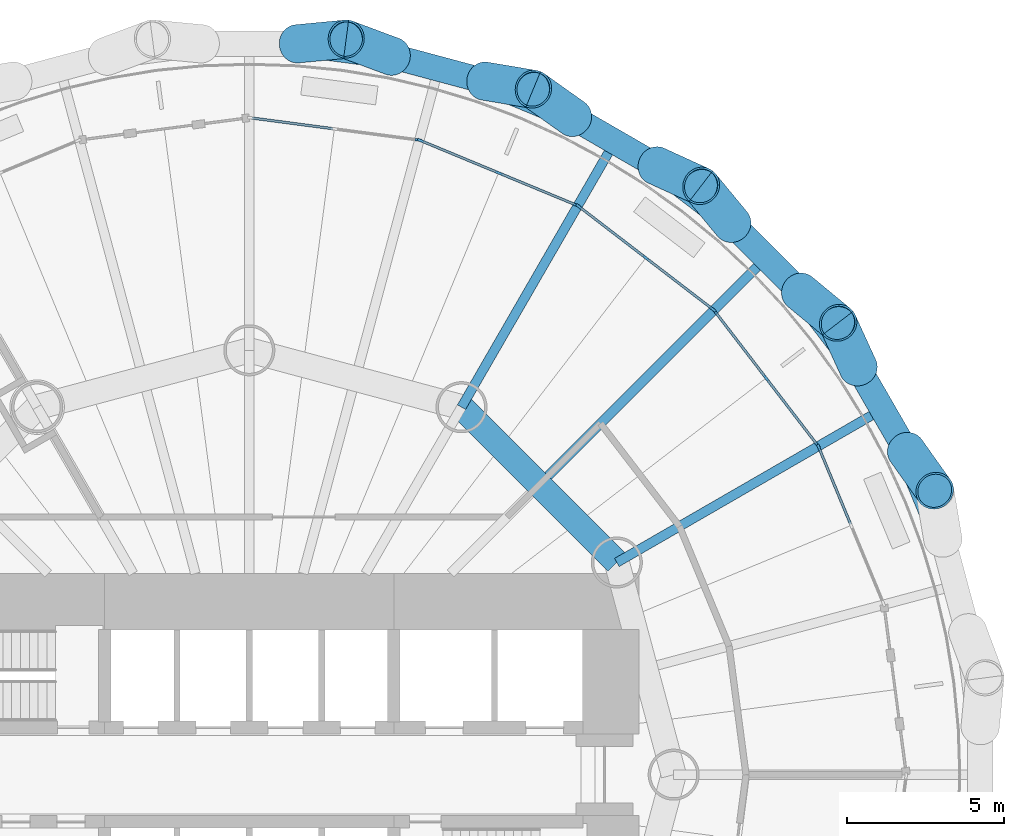
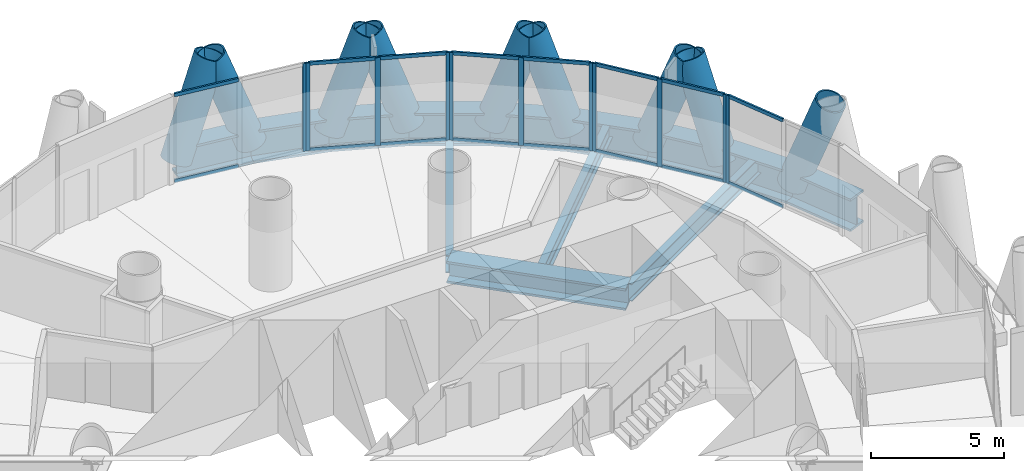
# One storey, part 7 of 15: 36 members, 13 beams, 5 elements without a shape of their own.
"""IFC4 building model written with IfcOpenShell, lengths in metres."""

from ifc_helpers import new_model, si_unit, direction, frame, origin, origin_2d, place, context, subcontext, project, spatial, rectangle, hollow_circle, i_section, extrude, material, material_profile, profile_set, type_object, element, aggregate, save


model = new_model("IFC4")

# Units and contexts
model_context = context("Model", 3, precision=1e-05, world=origin(), true_north=direction((0.0, 1.0)))
body_context = subcontext(model_context, "Body", "Model", "MODEL_VIEW")
ifc_project = project(units=[si_unit("LENGTHUNIT", "METRE"), si_unit("AREAUNIT", "SQUARE_METRE"), si_unit("VOLUMEUNIT", "CUBIC_METRE"), si_unit("PLANEANGLEUNIT", "RADIAN"), si_unit("MASSUNIT", "GRAM", prefix="KILO")], contexts=[model_context])

# Site, building, storey
site_placement = place(None, origin())
site = spatial("IfcSite", under=ifc_project, at=site_placement, CompositionType="ELEMENT")
building_placement = place(site_placement, origin())
building = spatial("IfcBuilding", under=site, at=building_placement, Name="Qaws Media Tower", CompositionType="ELEMENT")
storey_placement = place(building_placement, frame((0.0, 0.0, 30.199951171875)))
storey = spatial("IfcBuildingStorey", under=building, at=storey_placement, Name="L05", CompositionType="ELEMENT", Elevation=30.199951171875)

# Curtain wall, member
ifc_material_1 = material(Name="Aluminium and clear glass", Category="aluminium")
curtain_wall_type = type_object("IfcCurtainWallType", Name="Unitised curtain wall CW-A", PredefinedType="NOTDEFINED", material=ifc_material_1)
curtain_wall_1_placement = place(storey_placement, origin())
curtain_wall_1 = element("IfcCurtainWall", 1, at=curtain_wall_1_placement, inside=storey, type_object=curtain_wall_type, Name="CWA curtain wall L05-02", PredefinedType="NOTDEFINED")
ifc_material_2 = material(Name="Aluminium mullion", Category="aluminium")
ifc_material_profile_1 = material_profile(ifc_material_2, rectangle(XDim=0.080078125, YDim=0.199951171875, at=origin_2d()), Name="80x200")
ifc_profile_set_1 = profile_set([ifc_material_profile_1], Name="Aluminium mullion")
member_type_1 = type_object("IfcMemberType", Name="Curtain wall mullion 80x200", PredefinedType="MULLION", material=ifc_profile_set_1)
member_1_placement = place(storey_placement, frame((78.115234375, 60.4130859375, 0.0), z_axis=(0.0, 0.0, 1.0), x_axis=(-0.92387952266, -0.382683456149, 0.0)))
member_1 = element("IfcMember", 2, at=member_1_placement, type_object=member_type_1, Name="CWA mullion 3", PredefinedType="MULLION", context=body_context, shape_type="SweptSolid", body=[
    extrude(rectangle(XDim=0.080078125, YDim=0.199951171875, at=origin_2d()), origin(), (0.0, 0.0, 1.0), 4.0400390625),
])

# Curtain wall, members
curtain_wall_2_placement = place(storey_placement, origin())
curtain_wall_2 = element("IfcCurtainWall", 3, at=curtain_wall_2_placement, inside=storey, type_object=curtain_wall_type, Name="CWA curtain wall L05-03", PredefinedType="NOTDEFINED")
member_2_placement = place(storey_placement, frame((78.07568359375, 60.481689453125, 0.0), z_axis=(0.0, 0.0, 1.0), x_axis=(-0.793353377638, -0.608761380338, 0.0)))
member_2 = element("IfcMember", 4, at=member_2_placement, type_object=member_type_1, Name="CWA mullion 1", PredefinedType="MULLION", context=body_context, shape_type="SweptSolid", body=[
    extrude(rectangle(XDim=0.080078125, YDim=0.199951171875, at=origin_2d()), origin(), (0.0, 0.0, 1.0), 4.0400390625),
])
member_3_placement = place(storey_placement, frame((76.439208984375, 62.6142578125, 0.0), z_axis=(0.0, 0.0, 1.0), x_axis=(-0.793353377638, -0.608761380338, 0.0)))
member_3 = element("IfcMember", 5, at=member_3_placement, type_object=member_type_1, Name="CWA mullion 2", PredefinedType="MULLION", context=body_context, shape_type="SweptSolid", body=[
    extrude(rectangle(XDim=0.080078125, YDim=0.199951171875, at=origin_2d()), origin(), (0.0, 0.0, 1.0), 4.0400390625),
])
member_4_placement = place(storey_placement, frame((74.802978515625, 64.746826171875, 0.0), z_axis=(0.0, 0.0, 1.0), x_axis=(-0.793353377638, -0.608761380338, 0.0)))
member_4 = element("IfcMember", 6, at=member_4_placement, type_object=member_type_1, Name="CWA mullion 3", PredefinedType="MULLION", context=body_context, shape_type="SweptSolid", body=[
    extrude(rectangle(XDim=0.080078125, YDim=0.199951171875, at=origin_2d()), origin(), (0.0, 0.0, 1.0), 4.0400390625),
])

curtain_wall_3_placement = place(storey_placement, origin())
curtain_wall_3 = element("IfcCurtainWall", 7, at=curtain_wall_3_placement, inside=storey, type_object=curtain_wall_type, Name="CWA curtain wall L05-04", PredefinedType="NOTDEFINED")
member_5_placement = place(storey_placement, frame((74.746826171875, 64.802978515625, 0.0), z_axis=(0.0, 0.0, 1.0), x_axis=(-0.608761380338, -0.793353377638, 0.0)))
member_5 = element("IfcMember", 8, at=member_5_placement, type_object=member_type_1, Name="CWA mullion 1", PredefinedType="MULLION", context=body_context, shape_type="SweptSolid", body=[
    extrude(rectangle(XDim=0.080078125, YDim=0.199951171875, at=origin_2d()), origin(), (0.0, 0.0, 1.0), 4.0400390625),
])
member_6_placement = place(storey_placement, frame((72.6142578125, 66.439208984375, 0.0), z_axis=(0.0, 0.0, 1.0), x_axis=(-0.608761380338, -0.793353377638, 0.0)))
member_6 = element("IfcMember", 9, at=member_6_placement, type_object=member_type_1, Name="CWA mullion 2", PredefinedType="MULLION", context=body_context, shape_type="SweptSolid", body=[
    extrude(rectangle(XDim=0.080078125, YDim=0.199951171875, at=origin_2d()), origin(), (0.0, 0.0, 1.0), 4.0400390625),
])
member_7_placement = place(storey_placement, frame((70.481689453125, 68.07568359375, 0.0), z_axis=(0.0, 0.0, 1.0), x_axis=(-0.608761380338, -0.793353377638, 0.0)))
member_7 = element("IfcMember", 10, at=member_7_placement, type_object=member_type_1, Name="CWA mullion 3", PredefinedType="MULLION", context=body_context, shape_type="SweptSolid", body=[
    extrude(rectangle(XDim=0.080078125, YDim=0.199951171875, at=origin_2d()), origin(), (0.0, 0.0, 1.0), 4.0400390625),
])

curtain_wall_4_placement = place(storey_placement, origin())
curtain_wall_4 = element("IfcCurtainWall", 11, at=curtain_wall_4_placement, inside=storey, type_object=curtain_wall_type, Name="CWA curtain wall L05-05", PredefinedType="NOTDEFINED")
member_8_placement = place(storey_placement, frame((70.4130859375, 68.115234375, 0.0), z_axis=(0.0, 0.0, 1.0), x_axis=(-0.382683456149, -0.92387952266, 0.0)))
member_8 = element("IfcMember", 12, at=member_8_placement, type_object=member_type_1, Name="CWA mullion 1", PredefinedType="MULLION", context=body_context, shape_type="SweptSolid", body=[
    extrude(rectangle(XDim=0.080078125, YDim=0.199951171875, at=origin_2d()), origin(), (0.0, 0.0, 1.0), 4.0400390625),
])
member_9_placement = place(storey_placement, frame((67.9296875, 69.143798828125, 0.0), z_axis=(0.0, 0.0, 1.0), x_axis=(-0.382683456149, -0.92387952266, 0.0)))
member_9 = element("IfcMember", 13, at=member_9_placement, type_object=member_type_1, Name="CWA mullion 2", PredefinedType="MULLION", context=body_context, shape_type="SweptSolid", body=[
    extrude(rectangle(XDim=0.080078125, YDim=0.199951171875, at=origin_2d()), origin(), (0.0, 0.0, 1.0), 4.0400390625),
])
member_10_placement = place(storey_placement, frame((65.4462890625, 70.172607421875, 0.0), z_axis=(0.0, 0.0, 1.0), x_axis=(-0.382683456149, -0.92387952266, 0.0)))
member_10 = element("IfcMember", 14, at=member_10_placement, type_object=member_type_1, Name="CWA mullion 3", PredefinedType="MULLION", context=body_context, shape_type="SweptSolid", body=[
    extrude(rectangle(XDim=0.080078125, YDim=0.199951171875, at=origin_2d()), origin(), (0.0, 0.0, 1.0), 4.0400390625),
])

# Curtain wall, member
curtain_wall_5_placement = place(storey_placement, origin())
curtain_wall_5 = element("IfcCurtainWall", 15, at=curtain_wall_5_placement, inside=storey, type_object=curtain_wall_type, Name="CWA curtain wall L05-06", PredefinedType="NOTDEFINED")
member_11_placement = place(storey_placement, frame((65.36962890625, 70.193115234375, 0.0), z_axis=(0.0, 0.0, 1.0), x_axis=(-0.130526151694, -0.991444866709, 0.0)))
member_11 = element("IfcMember", 16, at=member_11_placement, type_object=member_type_1, Name="CWA mullion 1", PredefinedType="MULLION", context=body_context, shape_type="SweptSolid", body=[
    extrude(rectangle(XDim=0.080078125, YDim=0.199951171875, at=origin_2d()), origin(), (0.0, 0.0, 1.0), 4.0400390625),
])

# Member
ifc_material_3 = material(Name="Aluminium transom", Category="aluminium")
ifc_material_profile_2 = material_profile(ifc_material_3, rectangle(XDim=0.080078125, YDim=0.159912109375, at=origin_2d()), Name="80x160")
ifc_profile_set_2 = profile_set([ifc_material_profile_2], Name="Aluminium transom")
member_type_2 = type_object("IfcMemberType", Name="Curtain wall transom 80x160", PredefinedType="USERDEFINED", material=ifc_profile_set_2)
member_12_placement = place(storey_placement, frame((79.128662109375, 57.966552734375, 0.0400390625), z_axis=(-0.382693528503, 0.923875350489, 0.0), x_axis=(-0.923875350489, -0.382693528503, 0.0)))
member_12 = element("IfcMember", 17, at=member_12_placement, type_object=member_type_2, Name="CWA transom 2.1", ObjectType="TRANSOM", PredefinedType="USERDEFINED", context=body_context, shape_type="SweptSolid", body=[
    extrude(rectangle(XDim=0.080078125, YDim=0.159912109375, at=origin_2d()), origin(), (0.0, 0.0, 1.0), 2.60791015625),
])

member_13_placement = place(storey_placement, frame((79.128662109375, 57.966552734375, 4.0), z_axis=(-0.382693528503, 0.923875350489, 0.0), x_axis=(-0.923875350489, -0.382693528503, 0.0)))
member_13 = element("IfcMember", 18, at=member_13_placement, type_object=member_type_2, Name="CWA transom 2.2", ObjectType="TRANSOM", PredefinedType="USERDEFINED", context=body_context, shape_type="SweptSolid", body=[
    extrude(rectangle(XDim=0.080078125, YDim=0.159912109375, at=origin_2d()), origin(), (0.0, 0.0, 1.0), 2.60791015625),
])

aggregate(curtain_wall_1, [member_1, member_12, member_13])

member_14_placement = place(storey_placement, frame((78.05126953125, 60.513427734375, 0.0400390625), z_axis=(-0.608755759528, 0.793357690605, 0.0), x_axis=(-0.793357690605, -0.608755759528, 0.0)))
member_14 = element("IfcMember", 19, at=member_14_placement, type_object=member_type_2, Name="CWA transom 1.1", ObjectType="TRANSOM", PredefinedType="USERDEFINED", context=body_context, shape_type="SweptSolid", body=[
    extrude(rectangle(XDim=0.080078125, YDim=0.159912109375, at=origin_2d()), origin(), (0.0, 0.0, 1.0), 2.60791015625),
])

member_15_placement = place(storey_placement, frame((78.05126953125, 60.513427734375, 4.0), z_axis=(-0.608755759528, 0.793357690605, 0.0), x_axis=(-0.793357690605, -0.608755759528, 0.0)))
member_15 = element("IfcMember", 20, at=member_15_placement, type_object=member_type_2, Name="CWA transom 1.2", ObjectType="TRANSOM", PredefinedType="USERDEFINED", context=body_context, shape_type="SweptSolid", body=[
    extrude(rectangle(XDim=0.080078125, YDim=0.159912109375, at=origin_2d()), origin(), (0.0, 0.0, 1.0), 2.60791015625),
])

member_16_placement = place(storey_placement, frame((76.414794921875, 62.64599609375, 0.0400390625), z_axis=(-0.608755759528, 0.793357690605, 0.0), x_axis=(-0.793357690605, -0.608755759528, 0.0)))
member_16 = element("IfcMember", 21, at=member_16_placement, type_object=member_type_2, Name="CWA transom 2.1", ObjectType="TRANSOM", PredefinedType="USERDEFINED", context=body_context, shape_type="SweptSolid", body=[
    extrude(rectangle(XDim=0.080078125, YDim=0.159912109375, at=origin_2d()), origin(), (0.0, 0.0, 1.0), 2.60791015625),
])

member_17_placement = place(storey_placement, frame((76.414794921875, 62.64599609375, 4.0), z_axis=(-0.608755759528, 0.793357690605, 0.0), x_axis=(-0.793357690605, -0.608755759528, 0.0)))
member_17 = element("IfcMember", 22, at=member_17_placement, type_object=member_type_2, Name="CWA transom 2.2", ObjectType="TRANSOM", PredefinedType="USERDEFINED", context=body_context, shape_type="SweptSolid", body=[
    extrude(rectangle(XDim=0.080078125, YDim=0.159912109375, at=origin_2d()), origin(), (0.0, 0.0, 1.0), 2.60791015625),
])

aggregate(curtain_wall_2, [member_2, member_3, member_4, member_14, member_15, member_16, member_17])

member_18_placement = place(storey_placement, frame((74.715087890625, 64.8271484375, 0.0400390625), z_axis=(-0.793357690605, 0.608755759528, 0.0), x_axis=(-0.608755759528, -0.793357690605, 0.0)))
member_18 = element("IfcMember", 23, at=member_18_placement, type_object=member_type_2, Name="CWA transom 1.1", ObjectType="TRANSOM", PredefinedType="USERDEFINED", context=body_context, shape_type="SweptSolid", body=[
    extrude(rectangle(XDim=0.080078125, YDim=0.159912109375, at=origin_2d()), origin(), (0.0, 0.0, 1.0), 2.60791015625),
])

member_19_placement = place(storey_placement, frame((74.715087890625, 64.8271484375, 4.0), z_axis=(-0.793357690605, 0.608755759528, 0.0), x_axis=(-0.608755759528, -0.793357690605, 0.0)))
member_19 = element("IfcMember", 24, at=member_19_placement, type_object=member_type_2, Name="CWA transom 1.2", ObjectType="TRANSOM", PredefinedType="USERDEFINED", context=body_context, shape_type="SweptSolid", body=[
    extrude(rectangle(XDim=0.080078125, YDim=0.159912109375, at=origin_2d()), origin(), (0.0, 0.0, 1.0), 2.60791015625),
])

member_20_placement = place(storey_placement, frame((72.58251953125, 66.463623046875, 0.0400390625), z_axis=(-0.793357690605, 0.608755759528, 0.0), x_axis=(-0.608755759528, -0.793357690605, 0.0)))
member_20 = element("IfcMember", 25, at=member_20_placement, type_object=member_type_2, Name="CWA transom 2.1", ObjectType="TRANSOM", PredefinedType="USERDEFINED", context=body_context, shape_type="SweptSolid", body=[
    extrude(rectangle(XDim=0.080078125, YDim=0.159912109375, at=origin_2d()), origin(), (0.0, 0.0, 1.0), 2.60791015625),
])

member_21_placement = place(storey_placement, frame((72.58251953125, 66.463623046875, 4.0), z_axis=(-0.793357690605, 0.608755759528, 0.0), x_axis=(-0.608755759528, -0.793357690605, 0.0)))
member_21 = element("IfcMember", 26, at=member_21_placement, type_object=member_type_2, Name="CWA transom 2.2", ObjectType="TRANSOM", PredefinedType="USERDEFINED", context=body_context, shape_type="SweptSolid", body=[
    extrude(rectangle(XDim=0.080078125, YDim=0.159912109375, at=origin_2d()), origin(), (0.0, 0.0, 1.0), 2.60791015625),
])

aggregate(curtain_wall_3, [member_5, member_6, member_7, member_18, member_19, member_20, member_21])

member_22_placement = place(storey_placement, frame((70.3759765625, 68.130615234375, 0.0400390625), z_axis=(-0.923875350489, 0.382693528503, 0.0), x_axis=(-0.382693528503, -0.923875350489, 0.0)))
member_22 = element("IfcMember", 27, at=member_22_placement, type_object=member_type_2, Name="CWA transom 1.1", ObjectType="TRANSOM", PredefinedType="USERDEFINED", context=body_context, shape_type="SweptSolid", body=[
    extrude(rectangle(XDim=0.080078125, YDim=0.159912109375, at=origin_2d()), origin(), (0.0, 0.0, 1.0), 2.60791015625),
])

member_23_placement = place(storey_placement, frame((70.3759765625, 68.130615234375, 4.0), z_axis=(-0.923875350489, 0.382693528503, 0.0), x_axis=(-0.382693528503, -0.923875350489, 0.0)))
member_23 = element("IfcMember", 28, at=member_23_placement, type_object=member_type_2, Name="CWA transom 1.2", ObjectType="TRANSOM", PredefinedType="USERDEFINED", context=body_context, shape_type="SweptSolid", body=[
    extrude(rectangle(XDim=0.080078125, YDim=0.159912109375, at=origin_2d()), origin(), (0.0, 0.0, 1.0), 2.60791015625),
])

member_24_placement = place(storey_placement, frame((67.892822265625, 69.1591796875, 0.0400390625), z_axis=(-0.923889058869, 0.382660432893, 0.0), x_axis=(-0.382660432893, -0.923889058869, 0.0)))
member_24 = element("IfcMember", 29, at=member_24_placement, type_object=member_type_2, Name="CWA transom 2.1", ObjectType="TRANSOM", PredefinedType="USERDEFINED", context=body_context, shape_type="SweptSolid", body=[
    extrude(rectangle(XDim=0.080078125, YDim=0.159912109375, at=origin_2d()), origin(), (0.0, 0.0, 1.0), 2.608154296875),
])

member_25_placement = place(storey_placement, frame((67.892822265625, 69.1591796875, 4.0), z_axis=(-0.923889058869, 0.382660432893, 0.0), x_axis=(-0.382660432893, -0.923889058869, 0.0)))
member_25 = element("IfcMember", 30, at=member_25_placement, type_object=member_type_2, Name="CWA transom 2.2", ObjectType="TRANSOM", PredefinedType="USERDEFINED", context=body_context, shape_type="SweptSolid", body=[
    extrude(rectangle(XDim=0.080078125, YDim=0.159912109375, at=origin_2d()), origin(), (0.0, 0.0, 1.0), 2.608154296875),
])

aggregate(curtain_wall_4, [member_8, member_9, member_10, member_22, member_23, member_24, member_25])

member_26_placement = place(storey_placement, frame((62.6650390625, 70.549072265625, 0.0400390625), z_axis=(-0.991436762367, 0.130587695544, 0.0), x_axis=(-0.130587695544, -0.991436762367, 0.0)))
member_26 = element("IfcMember", 31, at=member_26_placement, type_object=member_type_2, Name="CWA transom 2.1", ObjectType="TRANSOM", PredefinedType="USERDEFINED", context=body_context, shape_type="SweptSolid", body=[
    extrude(rectangle(XDim=0.080078125, YDim=0.159912109375, at=origin_2d()), origin(), (0.0, 0.0, 1.0), 2.60791015625),
])

member_27_placement = place(storey_placement, frame((62.6650390625, 70.549072265625, 4.0), z_axis=(-0.991436762367, 0.130587695544, 0.0), x_axis=(-0.130587695544, -0.991436762367, 0.0)))
member_27 = element("IfcMember", 32, at=member_27_placement, type_object=member_type_2, Name="CWA transom 2.2", ObjectType="TRANSOM", PredefinedType="USERDEFINED", context=body_context, shape_type="SweptSolid", body=[
    extrude(rectangle(XDim=0.080078125, YDim=0.159912109375, at=origin_2d()), origin(), (0.0, 0.0, 1.0), 2.60791015625),
])

aggregate(curtain_wall_5, [member_11, member_26, member_27])

# Members
ifc_material_4 = material(Name="Steel S460", Category="steel")
ifc_material_profile_3 = material_profile(ifc_material_4, hollow_circle(Radius=0.609619140625, WallThickness=0.06005859375, at=origin_2d()), Name="CHS 1219x60")
ifc_profile_set_3 = profile_set([ifc_material_profile_3], Name="Steel S460")
member_type_3 = type_object("IfcMemberType", Name="Diagrid member CHS 1219x60", PredefinedType="USERDEFINED", material=ifc_profile_set_3)
for number, where, z_axis, x_axis, name in (
    (33, (79.373291015625, 62.94482421875, -0.909912109375), (-0.145072807863, 0.317275265863, 0.937171428337), (-0.909439045115, -0.41583725569, 0.0), "DG1 diagrid L05 A03"),
    (34, (80.897216796875, 60.305419921875, -0.909912109375), (0.202217491802, -0.284313871152, 0.93716258391), (0.814902881425, 0.579597527467, 0.0), "DG1 diagrid L05 B03"),
):
    element("IfcMember", number, at=place(storey_placement, frame(where, z_axis=z_axis, x_axis=x_axis)), inside=storey, type_object=member_type_3, Name=name, ObjectType="DIAGRID", PredefinedType="USERDEFINED", context=body_context, shape_type="SweptSolid", body=[
        extrude(hollow_circle(Radius=0.609619140625, WallThickness=0.06005859375, at=origin_2d()), origin(), (0.0, 0.0, 1.0), 4.4814453125),
    ])
for number, where, z_axis, x_axis, name in (
    (35, (75.36279296875, 67.517822265625, -0.909912109375), (-0.222263773109, 0.268950060745, 0.937157766861), (-0.770838408079, -0.637030728168, 0.0), "DG1 diagrid L05 A04"),
    (36, (77.517822265625, 65.36279296875, -0.909912109375), (0.268950060745, -0.222263773109, 0.937157766861), (0.637030728168, 0.770838408079, 0.0), "DG1 diagrid L05 B04"),
):
    element("IfcMember", number, at=place(storey_placement, frame(where, z_axis=z_axis, x_axis=x_axis)), inside=storey, type_object=member_type_3, Name=name, ObjectType="DIAGRID", PredefinedType="USERDEFINED", context=body_context, shape_type="SweptSolid", body=[
        extrude(hollow_circle(Radius=0.609619140625, WallThickness=0.06005859375, at=origin_2d()), origin(), (0.0, 0.0, 1.0), 4.481689453125),
    ])
for number, where, z_axis, x_axis, name in (
    (37, (70.305419921875, 70.897216796875, -0.909912109375), (-0.284313871152, 0.202217491802, 0.93716258391), (-0.579597527467, -0.814902881425, 0.0), "DG1 diagrid L05 A05"),
    (38, (72.94482421875, 69.373291015625, -0.909912109375), (0.317275265863, -0.145072807863, 0.937171428337), (0.41583725569, 0.909439045115, 0.0), "DG1 diagrid L05 B05"),
):
    element("IfcMember", number, at=place(storey_placement, frame(where, z_axis=z_axis, x_axis=x_axis)), inside=storey, type_object=member_type_3, Name=name, ObjectType="DIAGRID", PredefinedType="USERDEFINED", context=body_context, shape_type="SweptSolid", body=[
        extrude(hollow_circle(Radius=0.609619140625, WallThickness=0.06005859375, at=origin_2d()), origin(), (0.0, 0.0, 1.0), 4.4814453125),
    ])
member_28_placement = place(storey_placement, frame((64.545654296875, 72.852294921875, -0.909912109375), z_axis=(-0.326965826616, 0.121808661832, 0.937153134834), x_axis=(-0.349103646691, -0.937084117818, 0.0)))
element("IfcMember", 39, at=member_28_placement, inside=storey, type_object=member_type_3, Name="DG1 diagrid L05 A06", ObjectType="DIAGRID", PredefinedType="USERDEFINED", context=body_context, shape_type="SweptSolid", body=[
    extrude(hollow_circle(Radius=0.609619140625, WallThickness=0.06005859375, at=origin_2d()), origin(), (0.0, 0.0, 1.0), 4.481689453125),
])
for number, where, z_axis, x_axis, name in (
    (40, (67.489501953125, 72.0634765625, -0.909912109375), (0.34402209257, -0.058017977607, 0.937167388516), (0.166297781756, 0.986075579143, 0.0), "DG1 diagrid L05 B06"),
    (41, (61.52392578125, 73.25, -0.909912109375), (0.347292966152, 0.03306773811, 0.937173473994), (-0.094786985058, 0.995497577829, 0.0), "DG1 diagrid L05 B07"),
):
    element("IfcMember", number, at=place(storey_placement, frame(where, z_axis=z_axis, x_axis=x_axis)), inside=storey, type_object=member_type_3, Name=name, ObjectType="DIAGRID", PredefinedType="USERDEFINED", context=body_context, shape_type="SweptSolid", body=[
        extrude(hollow_circle(Radius=0.609619140625, WallThickness=0.06005859375, at=origin_2d()), origin(), (0.0, 0.0, 1.0), 4.4814453125),
    ])

# Beams
ifc_material_5 = material(Name="Steel S460", Category="steel")
ifc_material_profile_4 = material_profile(ifc_material_5, i_section(OverallWidth=0.800048828125, OverallDepth=1.5, WebThickness=0.0400390625, FlangeThickness=0.10009765625, at=origin_2d()), Name="PG 1500x800")
ifc_profile_set_4 = profile_set([ifc_material_profile_4], Name="Steel S460")
beam_type_1 = type_object("IfcBeamType", Name="Edge ring beam PG 1500x800", PredefinedType="BEAM", material=ifc_profile_set_4)
for number, where, z_axis, x_axis, name in (
    (42, (82.0634765625, 57.489501953125, -0.909912109375), (-0.382646564361, 0.923894802877, 0.0), (-0.923894802877, -0.382646564361, 0.0), "RB7 edge ring beam L05-03"),
    (43, (80.897216796875, 60.305419921875, -0.909912109375), (-0.500015995287, 0.866016168704, 0.0), (-0.866016168704, -0.500015995287, 0.0), "RB7 edge ring beam L05-04"),
    (44, (79.373291015625, 62.94482421875, -0.909912109375), (-0.608781268648, 0.793338116406, 0.0), (-0.793338116406, -0.608781268648, 0.0), "RB7 edge ring beam L05-05"),
):
    element("IfcBeam", number, at=place(storey_placement, frame(where, z_axis=z_axis, x_axis=x_axis)), inside=storey, type_object=beam_type_1, Name=name, PredefinedType="BEAM", context=body_context, shape_type="SweptSolid", body=[
        extrude(i_section(OverallWidth=0.800048828125, OverallDepth=1.5, WebThickness=0.0400390625, FlangeThickness=0.10009765625, at=origin_2d()), origin(), (0.0, 0.0, 1.0), 3.0478515625),
    ])
beam_1_placement = place(storey_placement, frame((77.517822265625, 65.36279296875, -0.909912109375), z_axis=(-0.707106781187, 0.707106781187, 0.0), x_axis=(-0.707106781187, -0.707106781187, 0.0)))
element("IfcBeam", 45, at=beam_1_placement, inside=storey, type_object=beam_type_1, Name="RB7 edge ring beam L05-06", PredefinedType="BEAM", context=body_context, shape_type="SweptSolid", body=[
    extrude(i_section(OverallWidth=0.800048828125, OverallDepth=1.5, WebThickness=0.0400390625, FlangeThickness=0.10009765625, at=origin_2d()), origin(), (0.0, 0.0, 1.0), 3.047607421875),
])
for number, where, z_axis, x_axis, name in (
    (46, (75.36279296875, 67.517822265625, -0.909912109375), (-0.793338116406, 0.608781268648, 0.0), (-0.608781268648, -0.793338116406, 0.0), "RB7 edge ring beam L05-07"),
    (47, (72.94482421875, 69.373291015625, -0.909912109375), (-0.866016168704, 0.500015995287, 0.0), (-0.500015995287, -0.866016168704, 0.0), "RB7 edge ring beam L05-08"),
    (48, (70.305419921875, 70.897216796875, -0.909912109375), (-0.923894802877, 0.382646564361, 0.0), (-0.382646564361, -0.923894802877, 0.0), "RB7 edge ring beam L05-09"),
):
    element("IfcBeam", number, at=place(storey_placement, frame(where, z_axis=z_axis, x_axis=x_axis)), inside=storey, type_object=beam_type_1, Name=name, PredefinedType="BEAM", context=body_context, shape_type="SweptSolid", body=[
        extrude(i_section(OverallWidth=0.800048828125, OverallDepth=1.5, WebThickness=0.0400390625, FlangeThickness=0.10009765625, at=origin_2d()), origin(), (0.0, 0.0, 1.0), 3.0478515625),
    ])
beam_2_placement = place(storey_placement, frame((67.489501953125, 72.0634765625, -0.909912109375), z_axis=(-0.965924451694, 0.258824175106, 0.0), x_axis=(-0.258824175106, -0.965924451694, 0.0)))
element("IfcBeam", 49, at=beam_2_placement, inside=storey, type_object=beam_type_1, Name="RB7 edge ring beam L05-10", PredefinedType="BEAM", context=body_context, shape_type="SweptSolid", body=[
    extrude(i_section(OverallWidth=0.800048828125, OverallDepth=1.5, WebThickness=0.0400390625, FlangeThickness=0.10009765625, at=origin_2d()), origin(), (0.0, 0.0, 1.0), 3.047607421875),
])
beam_3_placement = place(storey_placement, frame((64.545654296875, 72.852294921875, -0.909912109375), z_axis=(-0.991449659888, 0.130489738706, 0.0), x_axis=(-0.130489738706, -0.991449659888, 0.0)))
element("IfcBeam", 50, at=beam_3_placement, inside=storey, type_object=beam_type_1, Name="RB7 edge ring beam L05-11", PredefinedType="BEAM", context=body_context, shape_type="SweptSolid", body=[
    extrude(i_section(OverallWidth=0.800048828125, OverallDepth=1.5, WebThickness=0.0400390625, FlangeThickness=0.10009765625, at=origin_2d()), origin(), (0.0, 0.0, 1.0), 3.0478515625),
])
ifc_material_6 = material(Name="Steel S460", Category="steel")
ifc_material_profile_5 = material_profile(ifc_material_6, i_section(OverallWidth=0.800048828125, OverallDepth=1.0, WebThickness=0.0400390625, FlangeThickness=0.10009765625, at=origin_2d()), Name="PG 1000x800")
ifc_profile_set_5 = profile_set([ifc_material_profile_5], Name="Steel S460")
beam_type_2 = type_object("IfcBeamType", Name="Inner ring girder PG 1000x800", PredefinedType="BEAM", material=ifc_profile_set_5)
beam_4_placement = place(storey_placement, frame((71.69140625, 56.75, -0.659912109375), z_axis=(-0.707106781187, 0.707106781187, 0.0), x_axis=(-0.707106781187, -0.707106781187, 0.0)))
element("IfcBeam", 51, at=beam_4_placement, inside=storey, type_object=beam_type_2, Name="B3 inner ring beam L05 I02-I03", PredefinedType="BEAM", context=body_context, shape_type="SweptSolid", body=[
    extrude(i_section(OverallWidth=0.800048828125, OverallDepth=1.0, WebThickness=0.0400390625, FlangeThickness=0.10009765625, at=origin_2d()), origin(), (0.0, 0.0, 1.0), 6.98828125),
])
ifc_material_7 = material(Name="Steel S355", Category="steel")
ifc_material_profile_6 = material_profile(ifc_material_7, i_section(OverallWidth=0.300048828125, OverallDepth=0.800048828125, WebThickness=0.017578125, FlangeThickness=0.032958984375, FilletRadius=0.030029296875, at=origin_2d()), Name="HE 800 B")
ifc_profile_set_6 = profile_set([ifc_material_profile_6], Name="Steel S355")
beam_type_3 = type_object("IfcBeamType", Name="Radial beam HE 800 B", PredefinedType="BEAM", material=ifc_profile_set_6)
beam_5_placement = place(storey_placement, frame((71.69140625, 56.75, -0.56005859375), z_axis=(0.866027967067, 0.499995560238, 0.0), x_axis=(-0.499995560238, 0.866027967067, 0.0)))
element("IfcBeam", 52, at=beam_5_placement, inside=storey, type_object=beam_type_3, Name="B1 radial beam L05 03", PredefinedType="BEAM", context=body_context, shape_type="SweptSolid", body=[
    extrude(i_section(OverallWidth=0.300048828125, OverallDepth=0.800048828125, WebThickness=0.017578125, FlangeThickness=0.032958984375, FilletRadius=0.030029296875, at=origin_2d()), origin(), (0.0, 0.0, 1.0), 9.75),
])
beam_6_placement = place(storey_placement, frame((69.50341796875, 59.50341796875, -0.56005859375), z_axis=(0.707106781187, 0.707106781187, 0.0), x_axis=(-0.707106781187, 0.707106781187, 0.0)))
element("IfcBeam", 53, at=beam_6_placement, inside=storey, type_object=beam_type_3, Name="B1 radial beam L05 04", PredefinedType="BEAM", context=body_context, shape_type="SweptSolid", body=[
    extrude(i_section(OverallWidth=0.300048828125, OverallDepth=0.800048828125, WebThickness=0.017578125, FlangeThickness=0.032958984375, FilletRadius=0.030029296875, at=origin_2d()), origin(), (0.0, 0.0, 1.0), 9.810302734375),
])
beam_7_placement = place(storey_placement, frame((66.75, 61.69140625, -0.56005859375), z_axis=(0.499995560238, 0.866027967067, 0.0), x_axis=(-0.866027967067, 0.499995560238, 0.0)))
element("IfcBeam", 54, at=beam_7_placement, inside=storey, type_object=beam_type_3, Name="B1 radial beam L05 05", PredefinedType="BEAM", context=body_context, shape_type="SweptSolid", body=[
    extrude(i_section(OverallWidth=0.300048828125, OverallDepth=0.800048828125, WebThickness=0.017578125, FlangeThickness=0.032958984375, FilletRadius=0.030029296875, at=origin_2d()), origin(), (0.0, 0.0, 1.0), 9.75),
])

save(model, "model.ifc")
